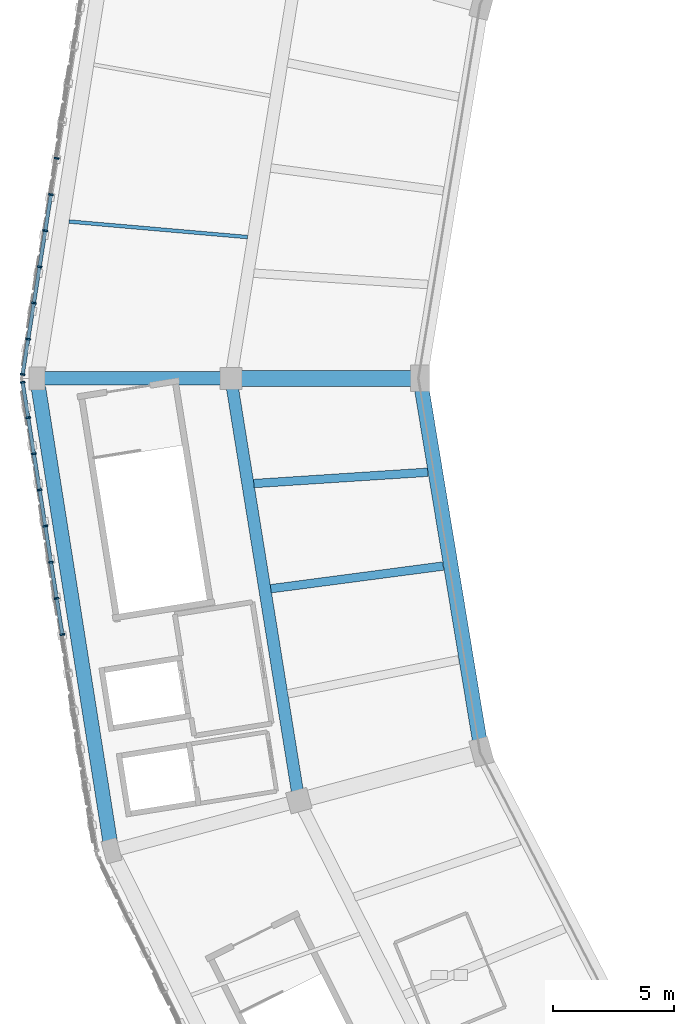
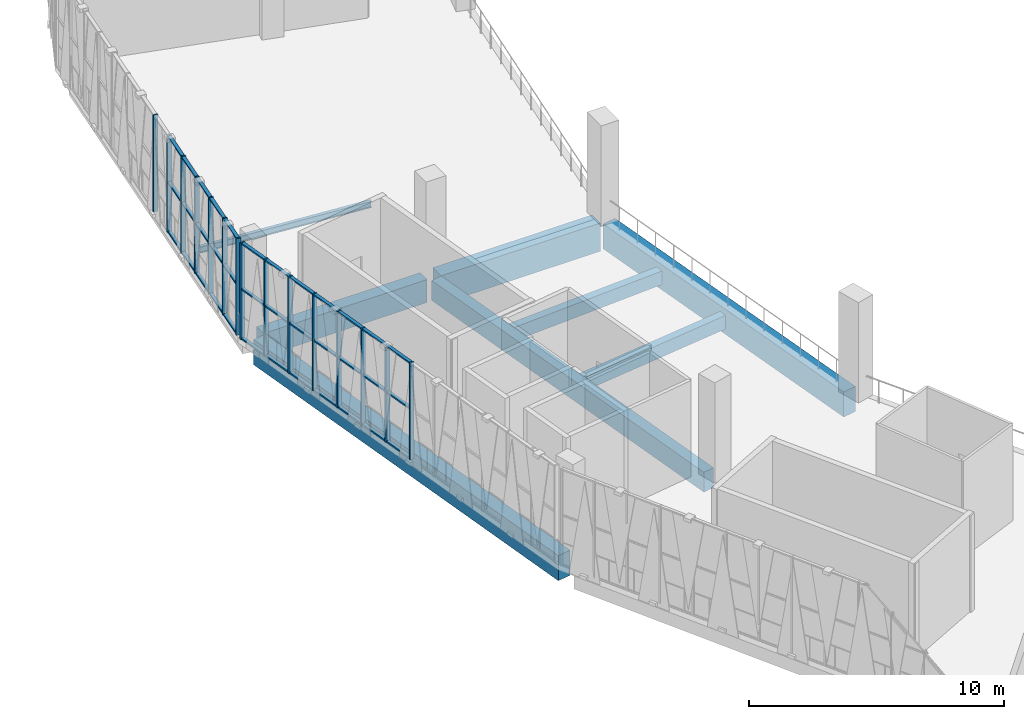
# One storey, part 12 of 64: 51 members, 8 beams, 2 elements without a shape of their own.
"""IFC4 building model written with IfcOpenShell, lengths in metres."""

from ifc_helpers import new_model, si_unit, direction, frame, origin, origin_2d, place, context, subcontext, project, spatial, rectangle, i_section, extrude, material, material_profile, profile_set, type_object, element, aggregate, save


model = new_model("IFC4")

# Units and contexts
model_context = context("Model", 3, precision=1e-05, world=origin(), true_north=direction((0.0, 1.0)))
body_context = subcontext(model_context, "Body", "Model", "MODEL_VIEW")
ifc_project = project(units=[si_unit("LENGTHUNIT", "METRE"), si_unit("AREAUNIT", "SQUARE_METRE"), si_unit("VOLUMEUNIT", "CUBIC_METRE"), si_unit("PLANEANGLEUNIT", "RADIAN"), si_unit("MASSUNIT", "GRAM", prefix="KILO")], contexts=[model_context])

# Site, building, storey
site_placement = place(None, origin())
site = spatial("IfcSite", under=ifc_project, at=site_placement, CompositionType="ELEMENT")
building_placement = place(site_placement, origin())
building = spatial("IfcBuilding", under=site, at=building_placement, Name="Zevraka Park Crest Stadium", CompositionType="ELEMENT")
storey_placement = place(building_placement, frame((0.0, 0.0, 24.60009765625)))
storey = spatial("IfcBuildingStorey", under=building, at=storey_placement, Name="L05", CompositionType="ELEMENT", Elevation=24.60009765625)

# Beams
ifc_material_1 = material(Name="Concrete C40/50", Category="concrete")
ifc_material_profile_1 = material_profile(ifc_material_1, rectangle(XDim=0.64990234375, YDim=1.35009765625, at=origin_2d()), Name="RC 1350x650")
ifc_profile_set_1 = profile_set([ifc_material_profile_1], Name="Concrete C40/50")
beam_type_1 = type_object("IfcBeamType", Name="BG01", PredefinedType="BEAM", material=ifc_profile_set_1)
beam_1_placement = place(storey_placement, frame((37.199951171875, 92.0, -0.68505859375), z_axis=(-1.0, 0.0, 0.0), x_axis=(0.0, -1.0, 0.0)))
element("IfcBeam", 1, at=beam_1_placement, inside=storey, type_object=beam_type_1, Name="Radial Girder BG01 L05-BC-12", PredefinedType="BEAM", context=body_context, shape_type="SweptSolid", body=[
    extrude(rectangle(XDim=0.64990234375, YDim=1.35009765625, at=origin_2d()), origin(), (0.0, 0.0, 1.0), 7.199951171875),
])
ifc_material_2 = material(Name="Concrete C40/50", Category="concrete")
ifc_material_profile_2 = material_profile(ifc_material_2, rectangle(XDim=0.550048828125, YDim=1.10009765625, at=origin_2d()), Name="RC 1100x550")
ifc_profile_set_2 = profile_set([ifc_material_profile_2], Name="Concrete C40/50")
beam_type_2 = type_object("IfcBeamType", Name="BG02", PredefinedType="BEAM", material=ifc_profile_set_2)
beam_2_placement = place(storey_placement, frame((29.39990234375, 92.0, -0.56005859375), z_axis=(-1.0, 0.0, 0.0), x_axis=(0.0, -1.0, 0.0)))
element("IfcBeam", 2, at=beam_2_placement, inside=storey, type_object=beam_type_2, Name="Radial Girder BG02 L05-CD-12", PredefinedType="BEAM", context=body_context, shape_type="SweptSolid", body=[
    extrude(rectangle(XDim=0.550048828125, YDim=1.10009765625, at=origin_2d()), origin(), (0.0, 0.0, 1.0), 7.39990234375),
])

# Curtain wall, members
ifc_material_3 = material(Name="Anodised architectural aluminium and laminated safety glass", Category="aluminium")
curtain_wall_type = type_object("IfcCurtainWallType", Name="CW21", PredefinedType="NOTDEFINED", material=ifc_material_3)
curtain_wall_1_placement = place(storey_placement, origin())
curtain_wall_1 = element("IfcCurtainWall", 3, at=curtain_wall_1_placement, inside=storey, type_object=curtain_wall_type, Name="Unitised Ring Curtain Wall CW21 L05-11", PredefinedType="NOTDEFINED")
ifc_material_4 = material(Name="Anodised architectural aluminium", Category="aluminium")
ifc_material_profile_3 = material_profile(ifc_material_4, rectangle(XDim=0.199951171875, YDim=0.070068359375, at=origin_2d()), Name="ALU MULLION 200x70")
ifc_profile_set_3 = profile_set([ifc_material_profile_3], Name="Anodised architectural aluminium")
member_type_1 = type_object("IfcMemberType", Name="CM03", PredefinedType="MULLION", material=ifc_profile_set_3)
member_1_placement = place(storey_placement, frame((22.511962890625, 101.07666015625, 0.0), z_axis=(0.0, 0.0, 1.0), x_axis=(0.987802580924, -0.155711467527, 0.0)))
member_1 = element("IfcMember", 4, at=member_1_placement, type_object=member_type_1, Name="CW21 mullion 8", PredefinedType="MULLION", context=body_context, shape_type="SweptSolid", body=[
    extrude(rectangle(XDim=0.199951171875, YDim=0.070068359375, at=origin_2d()), origin(), (0.0, 0.0, 1.0), 4.619873046875),
])
member_2_placement = place(storey_placement, frame((22.27685546875, 99.5849609375, 0.0), z_axis=(0.0, 0.0, 1.0), x_axis=(0.987802580924, -0.155711467527, 0.0)))
member_2 = element("IfcMember", 5, at=member_2_placement, type_object=member_type_1, Name="CW21 mullion 9", PredefinedType="MULLION", context=body_context, shape_type="SweptSolid", body=[
    extrude(rectangle(XDim=0.199951171875, YDim=0.070068359375, at=origin_2d()), origin(), (0.0, 0.0, 1.0), 4.619873046875),
])
member_3_placement = place(storey_placement, frame((22.04150390625, 98.093017578125, 0.0), z_axis=(0.0, 0.0, 1.0), x_axis=(0.987802580924, -0.155711467527, 0.0)))
member_3 = element("IfcMember", 6, at=member_3_placement, type_object=member_type_1, Name="CW21 mullion 10", PredefinedType="MULLION", context=body_context, shape_type="SweptSolid", body=[
    extrude(rectangle(XDim=0.199951171875, YDim=0.070068359375, at=origin_2d()), origin(), (0.0, 0.0, 1.0), 4.619873046875),
])
member_4_placement = place(storey_placement, frame((21.806396484375, 96.601318359375, 0.0), z_axis=(0.0, 0.0, 1.0), x_axis=(0.987802580924, -0.155711467527, 0.0)))
member_4 = element("IfcMember", 7, at=member_4_placement, type_object=member_type_1, Name="CW21 mullion 11", PredefinedType="MULLION", context=body_context, shape_type="SweptSolid", body=[
    extrude(rectangle(XDim=0.199951171875, YDim=0.070068359375, at=origin_2d()), origin(), (0.0, 0.0, 1.0), 4.619873046875),
])
member_5_placement = place(storey_placement, frame((21.5712890625, 95.109619140625, 0.0), z_axis=(0.0, 0.0, 1.0), x_axis=(0.987802580924, -0.155711467527, 0.0)))
member_5 = element("IfcMember", 8, at=member_5_placement, type_object=member_type_1, Name="CW21 mullion 12", PredefinedType="MULLION", context=body_context, shape_type="SweptSolid", body=[
    extrude(rectangle(XDim=0.199951171875, YDim=0.070068359375, at=origin_2d()), origin(), (0.0, 0.0, 1.0), 4.619873046875),
])
member_6_placement = place(storey_placement, frame((21.336181640625, 93.61767578125, 0.0), z_axis=(0.0, 0.0, 1.0), x_axis=(0.987802580924, -0.155711467527, 0.0)))
member_6 = element("IfcMember", 9, at=member_6_placement, type_object=member_type_1, Name="CW21 mullion 13", PredefinedType="MULLION", context=body_context, shape_type="SweptSolid", body=[
    extrude(rectangle(XDim=0.199951171875, YDim=0.070068359375, at=origin_2d()), origin(), (0.0, 0.0, 1.0), 4.619873046875),
])
member_7_placement = place(storey_placement, frame((21.1064453125, 92.16064453125, 0.0), z_axis=(0.0, 0.0, 1.0), x_axis=(0.987802580924, -0.155711467527, 0.0)))
member_7 = element("IfcMember", 10, at=member_7_placement, type_object=member_type_1, Name="CW21 mullion 14", PredefinedType="MULLION", context=body_context, shape_type="SweptSolid", body=[
    extrude(rectangle(XDim=0.199951171875, YDim=0.070068359375, at=origin_2d()), origin(), (0.0, 0.0, 1.0), 4.619873046875),
])

curtain_wall_2_placement = place(storey_placement, origin())
curtain_wall_2 = element("IfcCurtainWall", 11, at=curtain_wall_2_placement, inside=storey, type_object=curtain_wall_type, Name="Unitised Ring Curtain Wall CW21 L05-12", PredefinedType="NOTDEFINED")
member_8_placement = place(storey_placement, frame((21.1064453125, 91.83935546875, 0.0), z_axis=(0.0, 0.0, 1.0), x_axis=(0.987802580924, 0.155711467527, 0.0)))
member_8 = element("IfcMember", 12, at=member_8_placement, type_object=member_type_1, Name="CW21 mullion 1", PredefinedType="MULLION", context=body_context, shape_type="SweptSolid", body=[
    extrude(rectangle(XDim=0.199951171875, YDim=0.070068359375, at=origin_2d()), origin(), (0.0, 0.0, 1.0), 4.619873046875),
])
member_9_placement = place(storey_placement, frame((21.336181640625, 90.38232421875, 0.0), z_axis=(0.0, 0.0, 1.0), x_axis=(0.987802580924, 0.155711467527, 0.0)))
member_9 = element("IfcMember", 13, at=member_9_placement, type_object=member_type_1, Name="CW21 mullion 2", PredefinedType="MULLION", context=body_context, shape_type="SweptSolid", body=[
    extrude(rectangle(XDim=0.199951171875, YDim=0.070068359375, at=origin_2d()), origin(), (0.0, 0.0, 1.0), 4.619873046875),
])
member_10_placement = place(storey_placement, frame((21.5712890625, 88.890380859375, 0.0), z_axis=(0.0, 0.0, 1.0), x_axis=(0.987802580924, 0.155711467527, 0.0)))
member_10 = element("IfcMember", 14, at=member_10_placement, type_object=member_type_1, Name="CW21 mullion 3", PredefinedType="MULLION", context=body_context, shape_type="SweptSolid", body=[
    extrude(rectangle(XDim=0.199951171875, YDim=0.070068359375, at=origin_2d()), origin(), (0.0, 0.0, 1.0), 4.619873046875),
])
member_11_placement = place(storey_placement, frame((21.806396484375, 87.398681640625, 0.0), z_axis=(0.0, 0.0, 1.0), x_axis=(0.987802580924, 0.155711467527, 0.0)))
member_11 = element("IfcMember", 15, at=member_11_placement, type_object=member_type_1, Name="CW21 mullion 4", PredefinedType="MULLION", context=body_context, shape_type="SweptSolid", body=[
    extrude(rectangle(XDim=0.199951171875, YDim=0.070068359375, at=origin_2d()), origin(), (0.0, 0.0, 1.0), 4.619873046875),
])
member_12_placement = place(storey_placement, frame((22.04150390625, 85.906982421875, 0.0), z_axis=(0.0, 0.0, 1.0), x_axis=(0.987802580924, 0.155711467527, 0.0)))
member_12 = element("IfcMember", 16, at=member_12_placement, type_object=member_type_1, Name="CW21 mullion 5", PredefinedType="MULLION", context=body_context, shape_type="SweptSolid", body=[
    extrude(rectangle(XDim=0.199951171875, YDim=0.070068359375, at=origin_2d()), origin(), (0.0, 0.0, 1.0), 4.619873046875),
])
member_13_placement = place(storey_placement, frame((22.27685546875, 84.4150390625, 0.0), z_axis=(0.0, 0.0, 1.0), x_axis=(0.987802580924, 0.155711467527, 0.0)))
member_13 = element("IfcMember", 17, at=member_13_placement, type_object=member_type_1, Name="CW21 mullion 6", PredefinedType="MULLION", context=body_context, shape_type="SweptSolid", body=[
    extrude(rectangle(XDim=0.199951171875, YDim=0.070068359375, at=origin_2d()), origin(), (0.0, 0.0, 1.0), 4.619873046875),
])
member_14_placement = place(storey_placement, frame((22.511962890625, 82.92333984375, 0.0), z_axis=(0.0, 0.0, 1.0), x_axis=(0.987802580924, 0.155711467527, 0.0)))
member_14 = element("IfcMember", 18, at=member_14_placement, type_object=member_type_1, Name="CW21 mullion 7", PredefinedType="MULLION", context=body_context, shape_type="SweptSolid", body=[
    extrude(rectangle(XDim=0.199951171875, YDim=0.070068359375, at=origin_2d()), origin(), (0.0, 0.0, 1.0), 4.619873046875),
])
member_15_placement = place(storey_placement, frame((22.7470703125, 81.431640625, 0.0), z_axis=(0.0, 0.0, 1.0), x_axis=(0.987802580924, 0.155711467527, 0.0)))
member_15 = element("IfcMember", 19, at=member_15_placement, type_object=member_type_1, Name="CW21 mullion 8", PredefinedType="MULLION", context=body_context, shape_type="SweptSolid", body=[
    extrude(rectangle(XDim=0.199951171875, YDim=0.070068359375, at=origin_2d()), origin(), (0.0, 0.0, 1.0), 4.619873046875),
])

# Member
ifc_material_5 = material(Name="Anodised architectural aluminium", Category="aluminium")
ifc_material_profile_4 = material_profile(ifc_material_5, rectangle(XDim=0.14990234375, YDim=0.070068359375, at=origin_2d()), Name="ALU TRANSOM 150x70")
ifc_profile_set_4 = profile_set([ifc_material_profile_4], Name="Anodised architectural aluminium")
member_type_2 = type_object("IfcMemberType", Name="CT03", PredefinedType="USERDEFINED", material=ifc_profile_set_4)
member_16_placement = place(storey_placement, frame((22.271240234375, 99.55029296875, 0.034912109375), z_axis=(-0.155623058031, -0.98781651323, 0.0), x_axis=(0.98781651323, -0.155623058031, 0.0)))
member_16 = element("IfcMember", 20, at=member_16_placement, type_object=member_type_2, Name="CW21 transom 9.1", ObjectType="TRANSOM", PredefinedType="USERDEFINED", context=body_context, shape_type="SweptSolid", body=[
    extrude(rectangle(XDim=0.14990234375, YDim=0.070068359375, at=origin_2d()), origin(), (0.0, 0.0, 1.0), 1.440185546875),
])

member_17_placement = place(storey_placement, frame((22.271240234375, 99.55029296875, 2.39990234375), z_axis=(-0.155623058031, -0.98781651323, 0.0), x_axis=(0.98781651323, -0.155623058031, 0.0)))
member_17 = element("IfcMember", 21, at=member_17_placement, type_object=member_type_2, Name="CW21 transom 9.2", ObjectType="TRANSOM", PredefinedType="USERDEFINED", context=body_context, shape_type="SweptSolid", body=[
    extrude(rectangle(XDim=0.14990234375, YDim=0.070068359375, at=origin_2d()), origin(), (0.0, 0.0, 1.0), 1.440185546875),
])

member_18_placement = place(storey_placement, frame((22.271240234375, 99.55029296875, 4.5849609375), z_axis=(-0.155623058031, -0.98781651323, 0.0), x_axis=(0.98781651323, -0.155623058031, 0.0)))
member_18 = element("IfcMember", 22, at=member_18_placement, type_object=member_type_2, Name="CW21 transom 9.3", ObjectType="TRANSOM", PredefinedType="USERDEFINED", context=body_context, shape_type="SweptSolid", body=[
    extrude(rectangle(XDim=0.14990234375, YDim=0.070068359375, at=origin_2d()), origin(), (0.0, 0.0, 1.0), 1.440185546875),
])

member_19_placement = place(storey_placement, frame((22.0361328125, 98.05859375, 0.034912109375), z_axis=(-0.155623058031, -0.98781651323, 0.0), x_axis=(0.98781651323, -0.155623058031, 0.0)))
member_19 = element("IfcMember", 23, at=member_19_placement, type_object=member_type_2, Name="CW21 transom 10.1", ObjectType="TRANSOM", PredefinedType="USERDEFINED", context=body_context, shape_type="SweptSolid", body=[
    extrude(rectangle(XDim=0.14990234375, YDim=0.070068359375, at=origin_2d()), origin(), (0.0, 0.0, 1.0), 1.440185546875),
])

member_20_placement = place(storey_placement, frame((22.0361328125, 98.05859375, 2.39990234375), z_axis=(-0.155623058031, -0.98781651323, 0.0), x_axis=(0.98781651323, -0.155623058031, 0.0)))
member_20 = element("IfcMember", 24, at=member_20_placement, type_object=member_type_2, Name="CW21 transom 10.2", ObjectType="TRANSOM", PredefinedType="USERDEFINED", context=body_context, shape_type="SweptSolid", body=[
    extrude(rectangle(XDim=0.14990234375, YDim=0.070068359375, at=origin_2d()), origin(), (0.0, 0.0, 1.0), 1.440185546875),
])

member_21_placement = place(storey_placement, frame((22.0361328125, 98.05859375, 4.5849609375), z_axis=(-0.155623058031, -0.98781651323, 0.0), x_axis=(0.98781651323, -0.155623058031, 0.0)))
member_21 = element("IfcMember", 25, at=member_21_placement, type_object=member_type_2, Name="CW21 transom 10.3", ObjectType="TRANSOM", PredefinedType="USERDEFINED", context=body_context, shape_type="SweptSolid", body=[
    extrude(rectangle(XDim=0.14990234375, YDim=0.070068359375, at=origin_2d()), origin(), (0.0, 0.0, 1.0), 1.440185546875),
])

member_22_placement = place(storey_placement, frame((21.801025390625, 96.566650390625, 0.034912109375), z_axis=(-0.155788469887, -0.987790439643, 0.0), x_axis=(0.987790439643, -0.155788469887, 0.0)))
member_22 = element("IfcMember", 26, at=member_22_placement, type_object=member_type_2, Name="CW21 transom 11.1", ObjectType="TRANSOM", PredefinedType="USERDEFINED", context=body_context, shape_type="SweptSolid", body=[
    extrude(rectangle(XDim=0.14990234375, YDim=0.070068359375, at=origin_2d()), origin(), (0.0, 0.0, 1.0), 1.440185546875),
])

member_23_placement = place(storey_placement, frame((21.801025390625, 96.566650390625, 2.39990234375), z_axis=(-0.155788469887, -0.987790439643, 0.0), x_axis=(0.987790439643, -0.155788469887, 0.0)))
member_23 = element("IfcMember", 27, at=member_23_placement, type_object=member_type_2, Name="CW21 transom 11.2", ObjectType="TRANSOM", PredefinedType="USERDEFINED", context=body_context, shape_type="SweptSolid", body=[
    extrude(rectangle(XDim=0.14990234375, YDim=0.070068359375, at=origin_2d()), origin(), (0.0, 0.0, 1.0), 1.440185546875),
])

member_24_placement = place(storey_placement, frame((21.801025390625, 96.566650390625, 4.5849609375), z_axis=(-0.155788469887, -0.987790439643, 0.0), x_axis=(0.987790439643, -0.155788469887, 0.0)))
member_24 = element("IfcMember", 28, at=member_24_placement, type_object=member_type_2, Name="CW21 transom 11.3", ObjectType="TRANSOM", PredefinedType="USERDEFINED", context=body_context, shape_type="SweptSolid", body=[
    extrude(rectangle(XDim=0.14990234375, YDim=0.070068359375, at=origin_2d()), origin(), (0.0, 0.0, 1.0), 1.440185546875),
])

member_25_placement = place(storey_placement, frame((21.56591796875, 95.074951171875, 0.034912109375), z_axis=(-0.155788469887, -0.987790439643, 0.0), x_axis=(0.987790439643, -0.155788469887, 0.0)))
member_25 = element("IfcMember", 29, at=member_25_placement, type_object=member_type_2, Name="CW21 transom 12.1", ObjectType="TRANSOM", PredefinedType="USERDEFINED", context=body_context, shape_type="SweptSolid", body=[
    extrude(rectangle(XDim=0.14990234375, YDim=0.070068359375, at=origin_2d()), origin(), (0.0, 0.0, 1.0), 1.440185546875),
])

member_26_placement = place(storey_placement, frame((21.56591796875, 95.074951171875, 2.39990234375), z_axis=(-0.155788469887, -0.987790439643, 0.0), x_axis=(0.987790439643, -0.155788469887, 0.0)))
member_26 = element("IfcMember", 30, at=member_26_placement, type_object=member_type_2, Name="CW21 transom 12.2", ObjectType="TRANSOM", PredefinedType="USERDEFINED", context=body_context, shape_type="SweptSolid", body=[
    extrude(rectangle(XDim=0.14990234375, YDim=0.070068359375, at=origin_2d()), origin(), (0.0, 0.0, 1.0), 1.440185546875),
])

member_27_placement = place(storey_placement, frame((21.56591796875, 95.074951171875, 4.5849609375), z_axis=(-0.155788469887, -0.987790439643, 0.0), x_axis=(0.987790439643, -0.155788469887, 0.0)))
member_27 = element("IfcMember", 31, at=member_27_placement, type_object=member_type_2, Name="CW21 transom 12.3", ObjectType="TRANSOM", PredefinedType="USERDEFINED", context=body_context, shape_type="SweptSolid", body=[
    extrude(rectangle(XDim=0.14990234375, YDim=0.070068359375, at=origin_2d()), origin(), (0.0, 0.0, 1.0), 1.440185546875),
])

member_28_placement = place(storey_placement, frame((21.330810546875, 93.583251953125, 0.034912109375), z_axis=(-0.155828759043, -0.987784084634, 0.0), x_axis=(0.987784084634, -0.155828759043, 0.0)))
member_28 = element("IfcMember", 32, at=member_28_placement, type_object=member_type_2, Name="CW21 transom 13.1", ObjectType="TRANSOM", PredefinedType="USERDEFINED", context=body_context, shape_type="SweptSolid", body=[
    extrude(rectangle(XDim=0.14990234375, YDim=0.070068359375, at=origin_2d()), origin(), (0.0, 0.0, 1.0), 1.4052734375),
])

member_29_placement = place(storey_placement, frame((21.330810546875, 93.583251953125, 2.39990234375), z_axis=(-0.155828759043, -0.987784084634, 0.0), x_axis=(0.987784084634, -0.155828759043, 0.0)))
member_29 = element("IfcMember", 33, at=member_29_placement, type_object=member_type_2, Name="CW21 transom 13.2", ObjectType="TRANSOM", PredefinedType="USERDEFINED", context=body_context, shape_type="SweptSolid", body=[
    extrude(rectangle(XDim=0.14990234375, YDim=0.070068359375, at=origin_2d()), origin(), (0.0, 0.0, 1.0), 1.4052734375),
])

member_30_placement = place(storey_placement, frame((21.330810546875, 93.583251953125, 4.5849609375), z_axis=(-0.155828759043, -0.987784084634, 0.0), x_axis=(0.987784084634, -0.155828759043, 0.0)))
member_30 = element("IfcMember", 34, at=member_30_placement, type_object=member_type_2, Name="CW21 transom 13.3", ObjectType="TRANSOM", PredefinedType="USERDEFINED", context=body_context, shape_type="SweptSolid", body=[
    extrude(rectangle(XDim=0.14990234375, YDim=0.070068359375, at=origin_2d()), origin(), (0.0, 0.0, 1.0), 1.4052734375),
])

aggregate(curtain_wall_1, [member_1, member_2, member_3, member_4, member_5, member_6, member_7, member_16, member_17, member_18, member_19, member_20, member_21, member_22, member_23, member_24, member_25, member_26, member_27, member_28, member_29, member_30])

member_31_placement = place(storey_placement, frame((21.11181640625, 91.804931640625, 0.034912109375), z_axis=(0.155828759043, -0.987784084634, 0.0), x_axis=(0.987784084634, 0.155828759043, 0.0)))
member_31 = element("IfcMember", 35, at=member_31_placement, type_object=member_type_2, Name="CW21 transom 1.1", ObjectType="TRANSOM", PredefinedType="USERDEFINED", context=body_context, shape_type="SweptSolid", body=[
    extrude(rectangle(XDim=0.14990234375, YDim=0.070068359375, at=origin_2d()), origin(), (0.0, 0.0, 1.0), 1.4052734375),
])

member_32_placement = place(storey_placement, frame((21.11181640625, 91.804931640625, 2.39990234375), z_axis=(0.155828759043, -0.987784084634, 0.0), x_axis=(0.987784084634, 0.155828759043, 0.0)))
member_32 = element("IfcMember", 36, at=member_32_placement, type_object=member_type_2, Name="CW21 transom 1.2", ObjectType="TRANSOM", PredefinedType="USERDEFINED", context=body_context, shape_type="SweptSolid", body=[
    extrude(rectangle(XDim=0.14990234375, YDim=0.070068359375, at=origin_2d()), origin(), (0.0, 0.0, 1.0), 1.4052734375),
])

member_33_placement = place(storey_placement, frame((21.11181640625, 91.804931640625, 4.5849609375), z_axis=(0.155828759043, -0.987784084634, 0.0), x_axis=(0.987784084634, 0.155828759043, 0.0)))
member_33 = element("IfcMember", 37, at=member_33_placement, type_object=member_type_2, Name="CW21 transom 1.3", ObjectType="TRANSOM", PredefinedType="USERDEFINED", context=body_context, shape_type="SweptSolid", body=[
    extrude(rectangle(XDim=0.14990234375, YDim=0.070068359375, at=origin_2d()), origin(), (0.0, 0.0, 1.0), 1.4052734375),
])

member_34_placement = place(storey_placement, frame((21.341552734375, 90.34765625, 0.034912109375), z_axis=(0.155788469887, -0.987790439643, 0.0), x_axis=(0.987790439643, 0.155788469887, 0.0)))
member_34 = element("IfcMember", 38, at=member_34_placement, type_object=member_type_2, Name="CW21 transom 2.1", ObjectType="TRANSOM", PredefinedType="USERDEFINED", context=body_context, shape_type="SweptSolid", body=[
    extrude(rectangle(XDim=0.14990234375, YDim=0.070068359375, at=origin_2d()), origin(), (0.0, 0.0, 1.0), 1.440185546875),
])

member_35_placement = place(storey_placement, frame((21.341552734375, 90.34765625, 2.39990234375), z_axis=(0.155788469887, -0.987790439643, 0.0), x_axis=(0.987790439643, 0.155788469887, 0.0)))
member_35 = element("IfcMember", 39, at=member_35_placement, type_object=member_type_2, Name="CW21 transom 2.2", ObjectType="TRANSOM", PredefinedType="USERDEFINED", context=body_context, shape_type="SweptSolid", body=[
    extrude(rectangle(XDim=0.14990234375, YDim=0.070068359375, at=origin_2d()), origin(), (0.0, 0.0, 1.0), 1.440185546875),
])

member_36_placement = place(storey_placement, frame((21.341552734375, 90.34765625, 4.5849609375), z_axis=(0.155788469887, -0.987790439643, 0.0), x_axis=(0.987790439643, 0.155788469887, 0.0)))
member_36 = element("IfcMember", 40, at=member_36_placement, type_object=member_type_2, Name="CW21 transom 2.3", ObjectType="TRANSOM", PredefinedType="USERDEFINED", context=body_context, shape_type="SweptSolid", body=[
    extrude(rectangle(XDim=0.14990234375, YDim=0.070068359375, at=origin_2d()), origin(), (0.0, 0.0, 1.0), 1.440185546875),
])

member_37_placement = place(storey_placement, frame((21.57666015625, 88.85595703125, 0.034912109375), z_axis=(0.155788469887, -0.987790439643, 0.0), x_axis=(0.987790439643, 0.155788469887, 0.0)))
member_37 = element("IfcMember", 41, at=member_37_placement, type_object=member_type_2, Name="CW21 transom 3.1", ObjectType="TRANSOM", PredefinedType="USERDEFINED", context=body_context, shape_type="SweptSolid", body=[
    extrude(rectangle(XDim=0.14990234375, YDim=0.070068359375, at=origin_2d()), origin(), (0.0, 0.0, 1.0), 1.440185546875),
])

member_38_placement = place(storey_placement, frame((21.57666015625, 88.85595703125, 2.39990234375), z_axis=(0.155788469887, -0.987790439643, 0.0), x_axis=(0.987790439643, 0.155788469887, 0.0)))
member_38 = element("IfcMember", 42, at=member_38_placement, type_object=member_type_2, Name="CW21 transom 3.2", ObjectType="TRANSOM", PredefinedType="USERDEFINED", context=body_context, shape_type="SweptSolid", body=[
    extrude(rectangle(XDim=0.14990234375, YDim=0.070068359375, at=origin_2d()), origin(), (0.0, 0.0, 1.0), 1.440185546875),
])

member_39_placement = place(storey_placement, frame((21.57666015625, 88.85595703125, 4.5849609375), z_axis=(0.155788469887, -0.987790439643, 0.0), x_axis=(0.987790439643, 0.155788469887, 0.0)))
member_39 = element("IfcMember", 43, at=member_39_placement, type_object=member_type_2, Name="CW21 transom 3.3", ObjectType="TRANSOM", PredefinedType="USERDEFINED", context=body_context, shape_type="SweptSolid", body=[
    extrude(rectangle(XDim=0.14990234375, YDim=0.070068359375, at=origin_2d()), origin(), (0.0, 0.0, 1.0), 1.440185546875),
])

member_40_placement = place(storey_placement, frame((21.81201171875, 87.364013671875, 0.034912109375), z_axis=(0.155623058031, -0.98781651323, 0.0), x_axis=(0.98781651323, 0.155623058031, 0.0)))
member_40 = element("IfcMember", 44, at=member_40_placement, type_object=member_type_2, Name="CW21 transom 4.1", ObjectType="TRANSOM", PredefinedType="USERDEFINED", context=body_context, shape_type="SweptSolid", body=[
    extrude(rectangle(XDim=0.14990234375, YDim=0.070068359375, at=origin_2d()), origin(), (0.0, 0.0, 1.0), 1.440185546875),
])

member_41_placement = place(storey_placement, frame((21.81201171875, 87.364013671875, 2.39990234375), z_axis=(0.155623058031, -0.98781651323, 0.0), x_axis=(0.98781651323, 0.155623058031, 0.0)))
member_41 = element("IfcMember", 45, at=member_41_placement, type_object=member_type_2, Name="CW21 transom 4.2", ObjectType="TRANSOM", PredefinedType="USERDEFINED", context=body_context, shape_type="SweptSolid", body=[
    extrude(rectangle(XDim=0.14990234375, YDim=0.070068359375, at=origin_2d()), origin(), (0.0, 0.0, 1.0), 1.440185546875),
])

member_42_placement = place(storey_placement, frame((21.81201171875, 87.364013671875, 4.5849609375), z_axis=(0.155623058031, -0.98781651323, 0.0), x_axis=(0.98781651323, 0.155623058031, 0.0)))
member_42 = element("IfcMember", 46, at=member_42_placement, type_object=member_type_2, Name="CW21 transom 4.3", ObjectType="TRANSOM", PredefinedType="USERDEFINED", context=body_context, shape_type="SweptSolid", body=[
    extrude(rectangle(XDim=0.14990234375, YDim=0.070068359375, at=origin_2d()), origin(), (0.0, 0.0, 1.0), 1.440185546875),
])

member_43_placement = place(storey_placement, frame((22.047119140625, 85.872314453125, 0.034912109375), z_axis=(0.155623058031, -0.98781651323, 0.0), x_axis=(0.98781651323, 0.155623058031, 0.0)))
member_43 = element("IfcMember", 47, at=member_43_placement, type_object=member_type_2, Name="CW21 transom 5.1", ObjectType="TRANSOM", PredefinedType="USERDEFINED", context=body_context, shape_type="SweptSolid", body=[
    extrude(rectangle(XDim=0.14990234375, YDim=0.070068359375, at=origin_2d()), origin(), (0.0, 0.0, 1.0), 1.440185546875),
])

member_44_placement = place(storey_placement, frame((22.047119140625, 85.872314453125, 2.39990234375), z_axis=(0.155623058031, -0.98781651323, 0.0), x_axis=(0.98781651323, 0.155623058031, 0.0)))
member_44 = element("IfcMember", 48, at=member_44_placement, type_object=member_type_2, Name="CW21 transom 5.2", ObjectType="TRANSOM", PredefinedType="USERDEFINED", context=body_context, shape_type="SweptSolid", body=[
    extrude(rectangle(XDim=0.14990234375, YDim=0.070068359375, at=origin_2d()), origin(), (0.0, 0.0, 1.0), 1.440185546875),
])

member_45_placement = place(storey_placement, frame((22.047119140625, 85.872314453125, 4.5849609375), z_axis=(0.155623058031, -0.98781651323, 0.0), x_axis=(0.98781651323, 0.155623058031, 0.0)))
member_45 = element("IfcMember", 49, at=member_45_placement, type_object=member_type_2, Name="CW21 transom 5.3", ObjectType="TRANSOM", PredefinedType="USERDEFINED", context=body_context, shape_type="SweptSolid", body=[
    extrude(rectangle(XDim=0.14990234375, YDim=0.070068359375, at=origin_2d()), origin(), (0.0, 0.0, 1.0), 1.440185546875),
])

member_46_placement = place(storey_placement, frame((22.2822265625, 84.380615234375, 0.034912109375), z_axis=(0.155788469887, -0.987790439643, 0.0), x_axis=(0.987790439643, 0.155788469887, 0.0)))
member_46 = element("IfcMember", 50, at=member_46_placement, type_object=member_type_2, Name="CW21 transom 6.1", ObjectType="TRANSOM", PredefinedType="USERDEFINED", context=body_context, shape_type="SweptSolid", body=[
    extrude(rectangle(XDim=0.14990234375, YDim=0.070068359375, at=origin_2d()), origin(), (0.0, 0.0, 1.0), 1.440185546875),
])

member_47_placement = place(storey_placement, frame((22.2822265625, 84.380615234375, 2.39990234375), z_axis=(0.155788469887, -0.987790439643, 0.0), x_axis=(0.987790439643, 0.155788469887, 0.0)))
member_47 = element("IfcMember", 51, at=member_47_placement, type_object=member_type_2, Name="CW21 transom 6.2", ObjectType="TRANSOM", PredefinedType="USERDEFINED", context=body_context, shape_type="SweptSolid", body=[
    extrude(rectangle(XDim=0.14990234375, YDim=0.070068359375, at=origin_2d()), origin(), (0.0, 0.0, 1.0), 1.440185546875),
])

member_48_placement = place(storey_placement, frame((22.2822265625, 84.380615234375, 4.5849609375), z_axis=(0.155788469887, -0.987790439643, 0.0), x_axis=(0.987790439643, 0.155788469887, 0.0)))
member_48 = element("IfcMember", 52, at=member_48_placement, type_object=member_type_2, Name="CW21 transom 6.3", ObjectType="TRANSOM", PredefinedType="USERDEFINED", context=body_context, shape_type="SweptSolid", body=[
    extrude(rectangle(XDim=0.14990234375, YDim=0.070068359375, at=origin_2d()), origin(), (0.0, 0.0, 1.0), 1.440185546875),
])

member_49_placement = place(storey_placement, frame((22.517333984375, 82.888916015625, 0.034912109375), z_axis=(0.155788469887, -0.987790439643, 0.0), x_axis=(0.987790439643, 0.155788469887, 0.0)))
member_49 = element("IfcMember", 53, at=member_49_placement, type_object=member_type_2, Name="CW21 transom 7.1", ObjectType="TRANSOM", PredefinedType="USERDEFINED", context=body_context, shape_type="SweptSolid", body=[
    extrude(rectangle(XDim=0.14990234375, YDim=0.070068359375, at=origin_2d()), origin(), (0.0, 0.0, 1.0), 1.440185546875),
])

member_50_placement = place(storey_placement, frame((22.517333984375, 82.888916015625, 2.39990234375), z_axis=(0.155788469887, -0.987790439643, 0.0), x_axis=(0.987790439643, 0.155788469887, 0.0)))
member_50 = element("IfcMember", 54, at=member_50_placement, type_object=member_type_2, Name="CW21 transom 7.2", ObjectType="TRANSOM", PredefinedType="USERDEFINED", context=body_context, shape_type="SweptSolid", body=[
    extrude(rectangle(XDim=0.14990234375, YDim=0.070068359375, at=origin_2d()), origin(), (0.0, 0.0, 1.0), 1.440185546875),
])

member_51_placement = place(storey_placement, frame((22.517333984375, 82.888916015625, 4.5849609375), z_axis=(0.155788469887, -0.987790439643, 0.0), x_axis=(0.987790439643, 0.155788469887, 0.0)))
member_51 = element("IfcMember", 55, at=member_51_placement, type_object=member_type_2, Name="CW21 transom 7.3", ObjectType="TRANSOM", PredefinedType="USERDEFINED", context=body_context, shape_type="SweptSolid", body=[
    extrude(rectangle(XDim=0.14990234375, YDim=0.070068359375, at=origin_2d()), origin(), (0.0, 0.0, 1.0), 1.440185546875),
])

aggregate(curtain_wall_2, [member_8, member_9, member_10, member_11, member_12, member_13, member_14, member_15, member_31, member_32, member_33, member_34, member_35, member_36, member_37, member_38, member_39, member_40, member_41, member_42, member_43, member_44, member_45, member_46, member_47, member_48, member_49, member_50, member_51])

# Beams
ifc_material_6 = material(Name="Concrete C40/50", Category="concrete")
ifc_material_profile_5 = material_profile(ifc_material_6, rectangle(XDim=0.60009765625, YDim=1.199951171875, at=origin_2d()), Name="RC 1200x600")
ifc_profile_set_5 = profile_set([ifc_material_profile_5], Name="Concrete C40/50")
beam_type_3 = type_object("IfcBeamType", Name="RB01", PredefinedType="BEAM", material=ifc_profile_set_5)
beam_3_placement = place(storey_placement, frame((37.56201171875, 91.625, -0.610107421875), z_axis=(0.162654875862, -0.986683024764, 0.0), x_axis=(0.986683024764, 0.162654875862, 0.0)))
element("IfcBeam", 56, at=beam_3_placement, inside=storey, type_object=beam_type_3, Name="Ring Beam RB01 L05-B-12", PredefinedType="BEAM", context=body_context, shape_type="SweptSolid", body=[
    extrude(rectangle(XDim=0.60009765625, YDim=1.199951171875, at=origin_2d()), origin(), (0.0, 0.0, 1.0), 14.84765625),
])
beam_4_placement = place(storey_placement, frame((21.759033203125, 91.625, -0.610107421875), z_axis=(0.155972486086, -0.987761400129, 0.0), x_axis=(0.987761400129, 0.155972486086, 0.0)))
element("IfcBeam", 57, at=beam_4_placement, inside=storey, type_object=beam_type_3, Name="Ring Beam RB01 L05-D-12", PredefinedType="BEAM", context=body_context, shape_type="SweptSolid", body=[
    extrude(rectangle(XDim=0.60009765625, YDim=1.199951171875, at=origin_2d()), origin(), (0.0, 0.0, 1.0), 18.97119140625),
])
ifc_material_7 = material(Name="Concrete C40/50", Category="concrete")
ifc_material_profile_6 = material_profile(ifc_material_7, rectangle(XDim=0.5, YDim=0.949951171875, at=origin_2d()), Name="RC 950x500")
ifc_profile_set_6 = profile_set([ifc_material_profile_6], Name="Concrete C40/50")
beam_type_4 = type_object("IfcBeamType", Name="RB02", PredefinedType="BEAM", material=ifc_profile_set_6)
beam_5_placement = place(storey_placement, frame((29.760009765625, 91.625, -0.485107421875), z_axis=(0.158975112778, -0.987282590507, 0.0), x_axis=(0.987282590507, 0.158975112778, 0.0)))
element("IfcBeam", 58, at=beam_5_placement, inside=storey, type_object=beam_type_4, Name="Ring Beam RB02 L05-C-12", PredefinedType="BEAM", context=body_context, shape_type="SweptSolid", body=[
    extrude(rectangle(XDim=0.5, YDim=0.949951171875, at=origin_2d()), origin(), (0.0, 0.0, 1.0), 16.883544921875),
])
ifc_material_8 = material(Name="Steel S355", Category="steel")
ifc_material_profile_7 = material_profile(ifc_material_8, i_section(OverallWidth=0.14990234375, OverallDepth=0.300048828125, WebThickness=0.007080078125, FlangeThickness=0.0107421875, at=origin_2d()), Name="IPE 300")
ifc_profile_set_7 = profile_set([ifc_material_profile_7], Name="Steel S355")
beam_type_5 = type_object("IfcBeamType", Name="SJ01", PredefinedType="JOIST", material=ifc_profile_set_7)
beam_6_placement = place(storey_placement, frame((30.39111328125, 97.827880859375, -0.418212890625), z_axis=(-0.996216033434, 0.086911533918, 0.0), x_axis=(-0.086911533918, -0.996216033434, 0.0)))
element("IfcBeam", 59, at=beam_6_placement, inside=storey, type_object=beam_type_5, Name="Floor Joist SJ01 L05-CD-11-2", PredefinedType="JOIST", context=body_context, shape_type="SweptSolid", body=[
    extrude(i_section(OverallWidth=0.14990234375, OverallDepth=0.300048828125, WebThickness=0.007080078125, FlangeThickness=0.0107421875, at=origin_2d()), origin(), (0.0, 0.0, 1.0), 7.399169921875),
])
ifc_material_9 = material(Name="Concrete C40/50", Category="concrete")
ifc_material_profile_8 = material_profile(ifc_material_9, rectangle(XDim=0.35009765625, YDim=0.64990234375, at=origin_2d()), Name="RC 650x350")
ifc_profile_set_8 = profile_set([ifc_material_profile_8], Name="Concrete C40/50")
beam_type_6 = type_object("IfcBeamType", Name="SJ06", PredefinedType="JOIST", material=ifc_profile_set_8)
beam_7_placement = place(storey_placement, frame((37.820068359375, 88.12890625, -0.593017578125), z_axis=(-0.997879386875, -0.065090162464, 0.0), x_axis=(0.065090162464, -0.997879386875, 0.0)))
element("IfcBeam", 60, at=beam_7_placement, inside=storey, type_object=beam_type_6, Name="Floor Joist SJ06 L05-BC-12-1", PredefinedType="JOIST", context=body_context, shape_type="SweptSolid", body=[
    extrude(rectangle(XDim=0.35009765625, YDim=0.64990234375, at=origin_2d()), origin(), (0.0, 0.0, 1.0), 7.190185546875),
])
beam_8_placement = place(storey_placement, frame((38.45703125, 84.259033203125, -0.593017578125), z_axis=(-0.991432387953, -0.130620902302, 0.0), x_axis=(0.130620902302, -0.991432387953, 0.0)))
element("IfcBeam", 61, at=beam_8_placement, inside=storey, type_object=beam_type_6, Name="Floor Joist SJ06 L05-BC-12-2", PredefinedType="JOIST", context=body_context, shape_type="SweptSolid", body=[
    extrude(rectangle(XDim=0.35009765625, YDim=0.64990234375, at=origin_2d()), origin(), (0.0, 0.0, 1.0), 7.173583984375),
])

save(model, "model.ifc")
